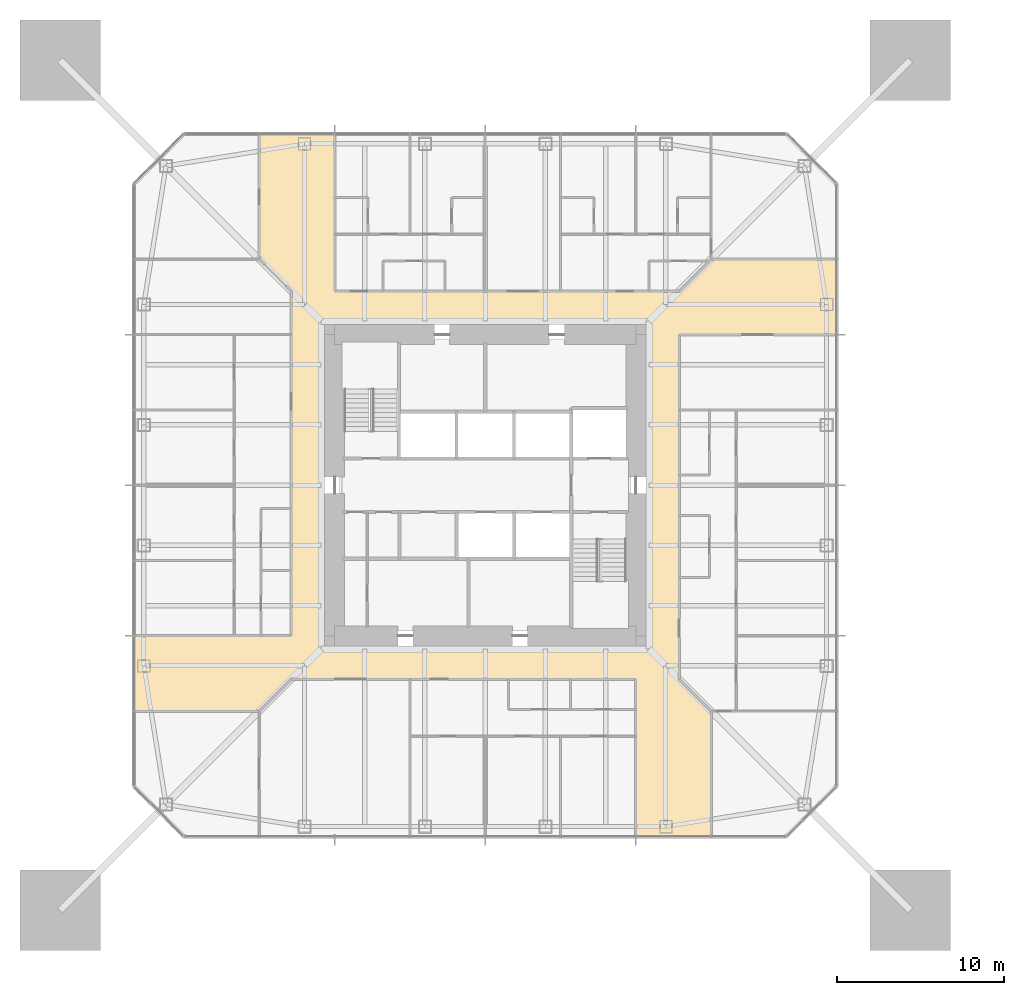
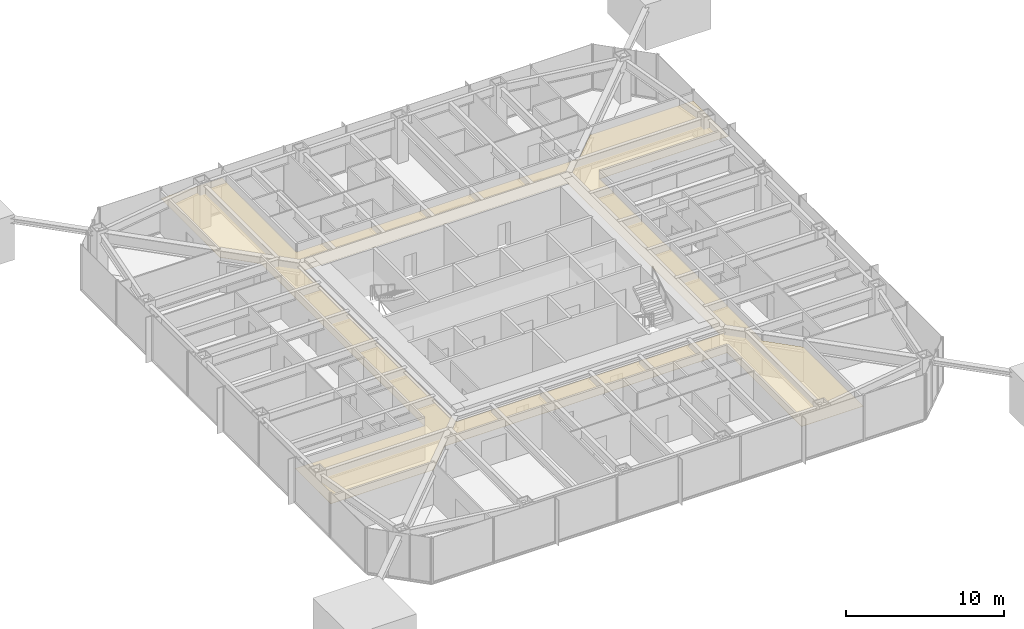
# One storey, part 22 of 25: 1 covering.
"""IFC4 building model written with IfcOpenShell, lengths in metres."""

from ifc_helpers import new_model, si_unit, direction, frame, origin, place, context, subcontext, project, spatial, polyline, outline, extrude, material, layer, layer_set, type_object, element, save


model = new_model("IFC4")

# Units and contexts
model_context = context("Model", 3, precision=1e-05, world=origin(), true_north=direction((0.0, 1.0)))
body_context = subcontext(model_context, "Body", "Model", "MODEL_VIEW")
ifc_project = project(units=[si_unit("LENGTHUNIT", "METRE"), si_unit("AREAUNIT", "SQUARE_METRE"), si_unit("VOLUMEUNIT", "CUBIC_METRE"), si_unit("PLANEANGLEUNIT", "RADIAN"), si_unit("MASSUNIT", "GRAM", prefix="KILO")], contexts=[model_context])

# Site, building, storey
site_placement = place(None, origin())
site = spatial("IfcSite", under=ifc_project, at=site_placement, CompositionType="ELEMENT")
building_placement = place(site_placement, origin())
building = spatial("IfcBuilding", under=site, at=building_placement, Name="Iwan Alto Co-Living Towers", CompositionType="ELEMENT")
storey_placement = place(building_placement, frame((0.0, 0.0, 105.0)))
storey = spatial("IfcBuildingStorey", under=building, at=storey_placement, Name="L28", CompositionType="ELEMENT", Elevation=105.0)

# Covering
ifc_material = material(Name="Gypsum plasterboard on steel grid", Category="steel")
ifc_layer = layer(ifc_material, 0.014892578125)
ifc_layer_set = layer_set([ifc_layer], Name="SUSPENDED PLASTERBOARD CEILING 15")
covering_type = type_object("IfcCoveringType", Name="SUSPENDED PLASTERBOARD CEILING 15", PredefinedType="CEILING", material=ifc_layer_set)
covering_placement = place(storey_placement, frame((0.0, 0.0, 2.60009765625)))
element("IfcCovering", 1, at=covering_placement, inside=storey, type_object=covering_type, Name="Ceiling Corridor L28", PredefinedType="CEILING", context=body_context, shape_type="SweptSolid", body=[
    extrude(outline(polyline([(13.5, -21.0), (9.0, -21.0), (9.0, -11.60009765625), (-11.60009765625, -11.60009765625), (-13.5, -13.5), (-21.0, -13.5), (-21.0, -9.0), (-11.60009765625, -9.0), (-11.60009765625, 11.60009765625), (-13.5, 13.5), (-13.5, 21.0), (-9.0, 21.0), (-9.0, 11.60009765625), (11.60009765625, 11.60009765625), (13.5, 13.5), (21.0, 13.5), (21.0, 9.0), (11.60009765625, 9.0), (11.60009765625, -11.60009765625), (13.5, -13.5), (13.5, -21.0)]), holes=[polyline([(9.60009765625, -9.60009765625), (9.60009765625, 9.60009765625), (-9.60009765625, 9.60009765625), (-9.60009765625, -9.60009765625), (9.60009765625, -9.60009765625)])]), origin(), (0.0, 0.0, 1.0), 0.014892578125),
])

save(model, "model.ifc")
